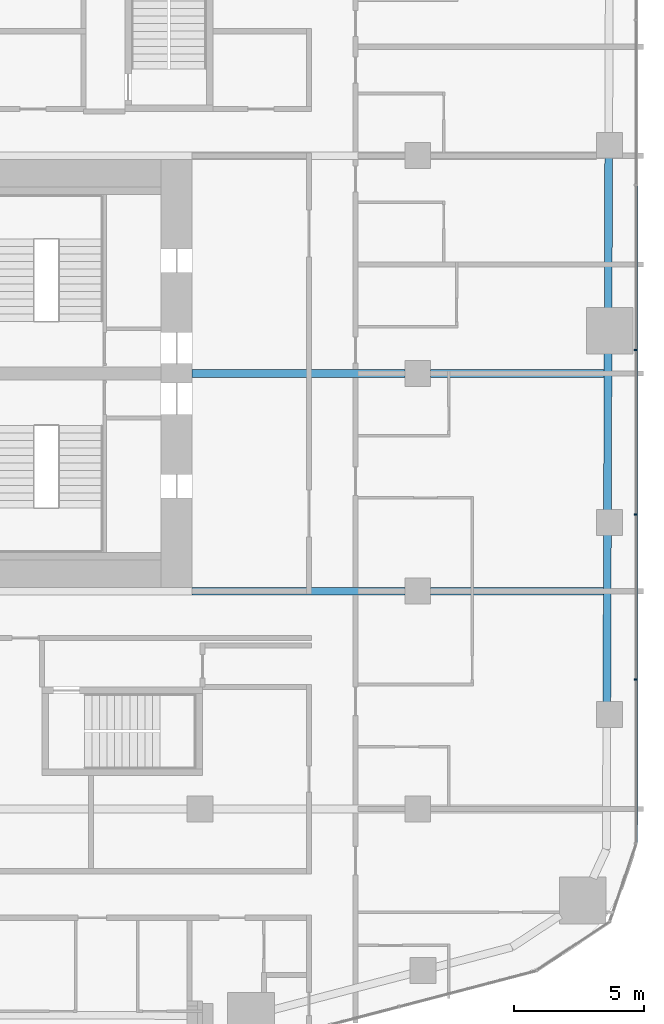
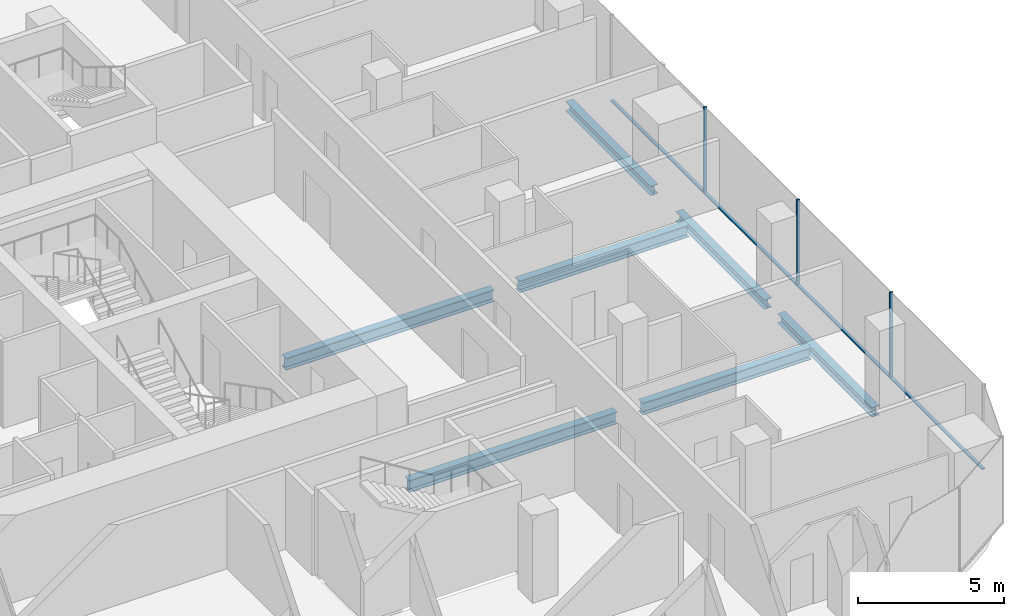
# One storey, part 7 of 25: 7 beams, 7 members, 1 element without a shape of its own.
"""IFC4 building model written with IfcOpenShell, lengths in metres."""

from ifc_helpers import new_model, si_unit, direction, frame, origin, origin_2d, place, context, subcontext, project, spatial, rectangle, i_section, extrude, material, layer, layer_set, material_profile, profile_set, type_object, element, aggregate, save


model = new_model("IFC4")

# Units and contexts
model_context = context("Model", 3, precision=1e-05, world=origin(), true_north=direction((0.0, 1.0)))
body_context = subcontext(model_context, "Body", "Model", "MODEL_VIEW")
ifc_project = project(units=[si_unit("LENGTHUNIT", "METRE"), si_unit("AREAUNIT", "SQUARE_METRE"), si_unit("VOLUMEUNIT", "CUBIC_METRE"), si_unit("PLANEANGLEUNIT", "RADIAN"), si_unit("MASSUNIT", "GRAM", prefix="KILO")], contexts=[model_context])

# Site, building, storey
site_placement = place(None, origin())
site = spatial("IfcSite", under=ifc_project, at=site_placement, CompositionType="ELEMENT")
building_placement = place(site_placement, origin())
building = spatial("IfcBuilding", under=site, at=building_placement, Name="Marenta Gate Hotel Tower", CompositionType="ELEMENT")
storey_placement = place(building_placement, frame((0.0, 0.0, 50.89990234375)))
storey = spatial("IfcBuildingStorey", under=building, at=storey_placement, Name="L10", CompositionType="ELEMENT", Elevation=50.89990234375)

# Beams
ifc_material_1 = material(Name="Steel S355", Category="steel")
ifc_material_profile_1 = material_profile(ifc_material_1, i_section(OverallWidth=0.300048828125, OverallDepth=0.39990234375, WebThickness=0.013427734375, FlangeThickness=0.02392578125, FilletRadius=0.027099609375, at=origin_2d()), Name="HEB 400")
ifc_profile_set_1 = profile_set([ifc_material_profile_1], Name="Steel S355")
beam_type_1 = type_object("IfcBeamType", Name="Edge beam HEB 400", PredefinedType="SPANDREL", material=ifc_profile_set_1)
beam_1_placement = place(storey_placement, frame((28.364013671875, 16.7431640625, -0.4599609375), z_axis=(-0.003306389661, -0.999994533879, 0.0), x_axis=(0.999994533879, -0.003306389661, 0.0)))
element("IfcBeam", 1, at=beam_1_placement, inside=storey, type_object=beam_type_1, Name="L10-EB-24", PredefinedType="SPANDREL", context=body_context, shape_type="SweptSolid", body=[
    extrude(i_section(OverallWidth=0.300048828125, OverallDepth=0.39990234375, WebThickness=0.013427734375, FlangeThickness=0.02392578125, FilletRadius=0.027099609375, at=origin_2d()), origin(), (0.0, 0.0, 1.0), 5.833251953125),
])
beam_2_placement = place(storey_placement, frame((28.3388671875, 9.18994140625, -0.4599609375), z_axis=(-0.003332378012, -0.999994447613, 0.0), x_axis=(0.999994447613, -0.003332378012, 0.0)))
element("IfcBeam", 2, at=beam_2_placement, inside=storey, type_object=beam_type_1, Name="L10-EB-25", PredefinedType="SPANDREL", context=body_context, shape_type="SweptSolid", body=[
    extrude(i_section(OverallWidth=0.300048828125, OverallDepth=0.39990234375, WebThickness=0.013427734375, FlangeThickness=0.02392578125, FilletRadius=0.027099609375, at=origin_2d()), origin(), (0.0, 0.0, 1.0), 6.080810546875),
])
beam_3_placement = place(storey_placement, frame((28.315673828125, 2.189208984375, -0.4599609375), z_axis=(-0.003352525703, -0.99999438027, 0.0), x_axis=(0.99999438027, -0.003352525703, 0.0)))
element("IfcBeam", 3, at=beam_3_placement, inside=storey, type_object=beam_type_1, Name="L10-EB-26", PredefinedType="SPANDREL", context=body_context, shape_type="SweptSolid", body=[
    extrude(i_section(OverallWidth=0.300048828125, OverallDepth=0.39990234375, WebThickness=0.013427734375, FlangeThickness=0.02392578125, FilletRadius=0.027099609375, at=origin_2d()), origin(), (0.0, 0.0, 1.0), 6.481201171875),
])
ifc_material_2 = material(Name="Steel S355", Category="steel")
ifc_material_profile_2 = material_profile(ifc_material_2, i_section(OverallWidth=0.300048828125, OverallDepth=0.5, WebThickness=0.014404296875, FlangeThickness=0.028076171875, FilletRadius=0.027099609375, at=origin_2d()), Name="HEB 500")
ifc_profile_set_2 = profile_set([ifc_material_profile_2], Name="Steel S355")
beam_type_2 = type_object("IfcBeamType", Name="Girder HEB 500", PredefinedType="BEAM", material=ifc_profile_set_2)
beam_4_placement = place(storey_placement, frame((12.300048828125, 0.0, -0.510009765625), z_axis=(1.0, 0.0, 0.0), x_axis=(0.0, 1.0, 0.0)))
element("IfcBeam", 4, at=beam_4_placement, inside=storey, type_object=beam_type_2, Name="L10-GD-11", PredefinedType="BEAM", context=body_context, shape_type="SweptSolid", body=[
    extrude(i_section(OverallWidth=0.300048828125, OverallDepth=0.5, WebThickness=0.014404296875, FlangeThickness=0.028076171875, FilletRadius=0.027099609375, at=origin_2d()), origin(), (0.0, 0.0, 1.0), 8.199951171875),
])
beam_5_placement = place(storey_placement, frame((21.5, 0.0, -0.510009765625), z_axis=(1.0, 0.0, 0.0), x_axis=(0.0, 1.0, 0.0)))
element("IfcBeam", 5, at=beam_5_placement, inside=storey, type_object=beam_type_2, Name="L10-GD-12", PredefinedType="BEAM", context=body_context, shape_type="SweptSolid", body=[
    extrude(i_section(OverallWidth=0.300048828125, OverallDepth=0.5, WebThickness=0.014404296875, FlangeThickness=0.028076171875, FilletRadius=0.027099609375, at=origin_2d()), origin(), (0.0, 0.0, 1.0), 6.658203125),
])
beam_6_placement = place(storey_placement, frame((12.300048828125, 8.39990234375, -0.510009765625), z_axis=(1.0, 0.0, 0.0), x_axis=(0.0, 1.0, 0.0)))
element("IfcBeam", 6, at=beam_6_placement, inside=storey, type_object=beam_type_2, Name="L10-GD-15", PredefinedType="BEAM", context=body_context, shape_type="SweptSolid", body=[
    extrude(i_section(OverallWidth=0.300048828125, OverallDepth=0.5, WebThickness=0.014404296875, FlangeThickness=0.028076171875, FilletRadius=0.027099609375, at=origin_2d()), origin(), (0.0, 0.0, 1.0), 8.199951171875),
])
beam_7_placement = place(storey_placement, frame((21.5, 8.39990234375, -0.510009765625), z_axis=(1.0, 0.0, 0.0), x_axis=(0.0, 1.0, 0.0)))
element("IfcBeam", 7, at=beam_7_placement, inside=storey, type_object=beam_type_2, Name="L10-GD-16", PredefinedType="BEAM", context=body_context, shape_type="SweptSolid", body=[
    extrude(i_section(OverallWidth=0.300048828125, OverallDepth=0.5, WebThickness=0.014404296875, FlangeThickness=0.028076171875, FilletRadius=0.027099609375, at=origin_2d()), origin(), (0.0, 0.0, 1.0), 6.686279296875),
])

# Curtain wall, members
ifc_material_3 = material(Name="Tinted insulated glass in bronze anodised frame", Category="glass")
ifc_layer = layer(ifc_material_3, 0.1201171875)
ifc_layer_set = layer_set([ifc_layer], Name="Tinted insulated glass in bronze anodised frame")
curtain_wall_type = type_object("IfcCurtainWallType", Name="Tower unitised curtain wall CW1", PredefinedType="NOTDEFINED", material=ifc_layer_set)
curtain_wall_placement = place(storey_placement, origin())
curtain_wall = element("IfcCurtainWall", 8, at=curtain_wall_placement, inside=storey, type_object=curtain_wall_type, Name="CW1 run G11", PredefinedType="NOTDEFINED")
ifc_material_4 = material(Name="Bronze anodised aluminium", Category="aluminium")
ifc_material_profile_3 = material_profile(ifc_material_4, rectangle(XDim=0.1201171875, YDim=0.06005859375, at=origin_2d()), Name="Mullion CW1 60x120 bronze anodised aluminium")
ifc_profile_set_3 = profile_set([ifc_material_profile_3], Name="Bronze anodised aluminium")
member_type_1 = type_object("IfcMemberType", Name="Mullion CW1 60x120 bronze anodised aluminium", PredefinedType="MULLION", material=ifc_profile_set_3)
member_1_placement = place(storey_placement, frame((29.4140625, -3.407958984375, 0.0), z_axis=(0.0, 0.0, 1.0), x_axis=(-1.0, 0.0, 0.0)))
member_1 = element("IfcMember", 9, at=member_1_placement, type_object=member_type_1, Name="CW1 mullion 2", PredefinedType="MULLION", context=body_context, shape_type="SweptSolid", body=[
    extrude(rectangle(XDim=0.1201171875, YDim=0.06005859375, at=origin_2d()), origin(), (0.0, 0.0, 1.0), 3.60009765625),
])
member_2_placement = place(storey_placement, frame((29.4140625, 2.951904296875, 0.0), z_axis=(0.0, 0.0, 1.0), x_axis=(-1.0, 0.0, 0.0)))
member_2 = element("IfcMember", 10, at=member_2_placement, type_object=member_type_1, Name="CW1 mullion 3", PredefinedType="MULLION", context=body_context, shape_type="SweptSolid", body=[
    extrude(rectangle(XDim=0.1201171875, YDim=0.06005859375, at=origin_2d()), origin(), (0.0, 0.0, 1.0), 3.60009765625),
])
member_3_placement = place(storey_placement, frame((29.4140625, 9.31201171875, 0.0), z_axis=(0.0, 0.0, 1.0), x_axis=(-1.0, 0.0, 0.0)))
member_3 = element("IfcMember", 11, at=member_3_placement, type_object=member_type_1, Name="CW1 mullion 4", PredefinedType="MULLION", context=body_context, shape_type="SweptSolid", body=[
    extrude(rectangle(XDim=0.1201171875, YDim=0.06005859375, at=origin_2d()), origin(), (0.0, 0.0, 1.0), 3.60009765625),
])
ifc_material_5 = material(Name="Bronze anodised aluminium", Category="aluminium")
ifc_material_profile_4 = material_profile(ifc_material_5, rectangle(XDim=0.1201171875, YDim=0.06005859375, at=origin_2d()), Name="Transom CW1 60x120 bronze anodised aluminium")
ifc_profile_set_4 = profile_set([ifc_material_profile_4], Name="Bronze anodised aluminium")
member_type_2 = type_object("IfcMemberType", Name="Transom CW1 60x120 bronze anodised aluminium", PredefinedType="USERDEFINED", material=ifc_profile_set_4)
member_4_placement = place(storey_placement, frame((29.4140625, -9.7080078125, 0.030029296875), z_axis=(0.0, 1.0, 0.0), x_axis=(-1.0, 0.0, 0.0)))
member_4 = element("IfcMember", 12, at=member_4_placement, type_object=member_type_2, Name="CW1 transom 1.1", ObjectType="TRANSOM", PredefinedType="USERDEFINED", context=body_context, shape_type="SweptSolid", body=[
    extrude(rectangle(XDim=0.1201171875, YDim=0.06005859375, at=origin_2d()), origin(), (0.0, 0.0, 1.0), 6.27001953125),
])
member_5_placement = place(storey_placement, frame((29.4140625, -3.3779296875, 0.030029296875), z_axis=(0.0, 1.0, 0.0), x_axis=(-1.0, 0.0, 0.0)))
member_5 = element("IfcMember", 13, at=member_5_placement, type_object=member_type_2, Name="CW1 transom 2.1", ObjectType="TRANSOM", PredefinedType="USERDEFINED", context=body_context, shape_type="SweptSolid", body=[
    extrude(rectangle(XDim=0.1201171875, YDim=0.06005859375, at=origin_2d()), origin(), (0.0, 0.0, 1.0), 6.2998046875),
])
member_6_placement = place(storey_placement, frame((29.4140625, 2.98193359375, 0.030029296875), z_axis=(0.0, 1.0, 0.0), x_axis=(-1.0, 0.0, 0.0)))
member_6 = element("IfcMember", 14, at=member_6_placement, type_object=member_type_2, Name="CW1 transom 3.1", ObjectType="TRANSOM", PredefinedType="USERDEFINED", context=body_context, shape_type="SweptSolid", body=[
    extrude(rectangle(XDim=0.1201171875, YDim=0.06005859375, at=origin_2d()), origin(), (0.0, 0.0, 1.0), 6.300048828125),
])
member_7_placement = place(storey_placement, frame((29.4140625, 9.342041015625, 0.030029296875), z_axis=(0.0, 1.0, 0.0), x_axis=(-1.0, 0.0, 0.0)))
member_7 = element("IfcMember", 15, at=member_7_placement, type_object=member_type_2, Name="CW1 transom 4.1", ObjectType="TRANSOM", PredefinedType="USERDEFINED", context=body_context, shape_type="SweptSolid", body=[
    extrude(rectangle(XDim=0.1201171875, YDim=0.06005859375, at=origin_2d()), origin(), (0.0, 0.0, 1.0), 6.2998046875),
])
aggregate(curtain_wall, [member_1, member_2, member_3, member_4, member_5, member_6, member_7])

save(model, "model.ifc")
